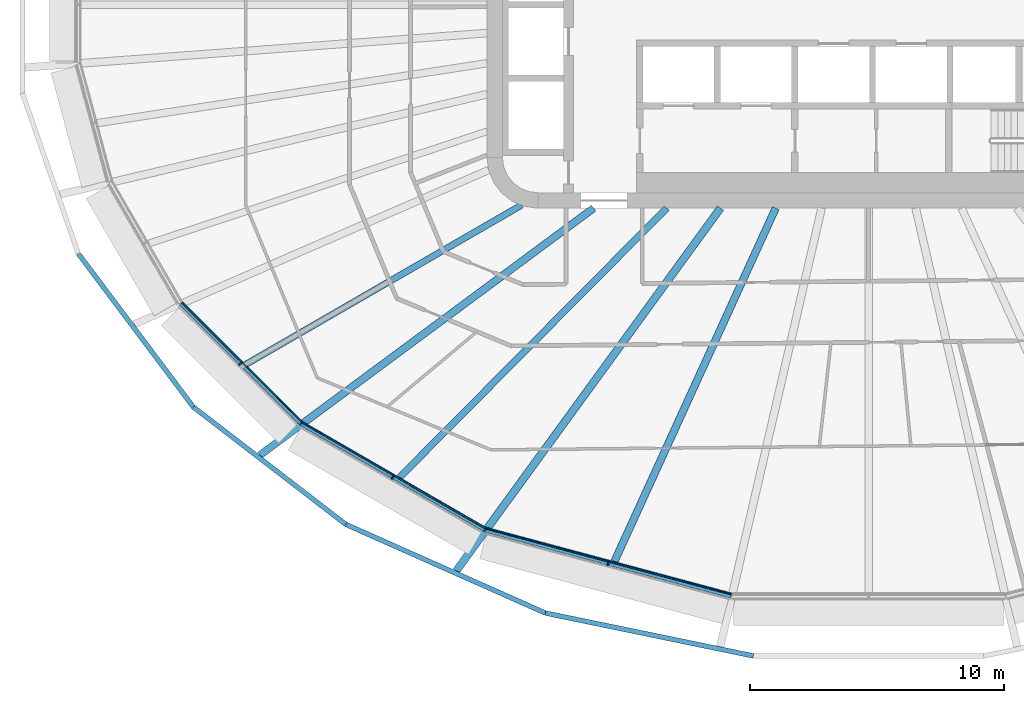
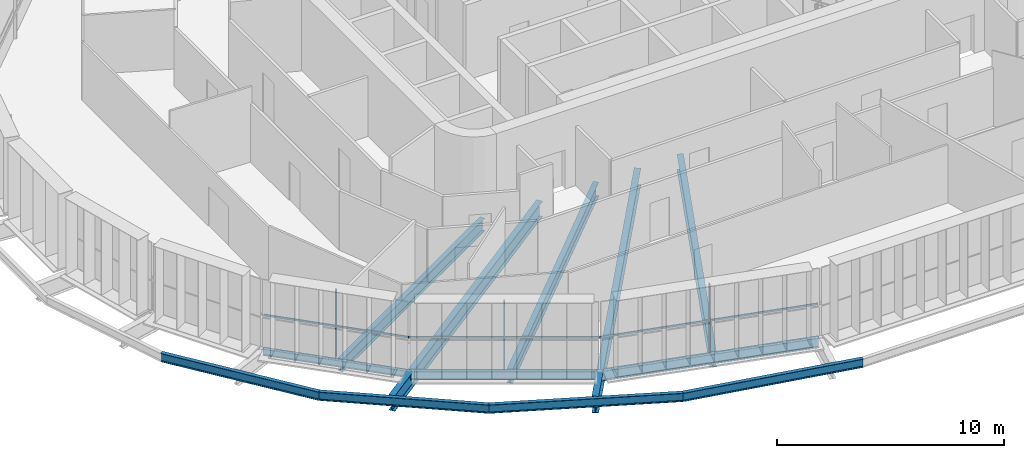
# One storey, part 1 of 24: 12 beams, 6 members, 3 elements without a shape of their own.
"""IFC4 building model written with IfcOpenShell, lengths in metres."""

from ifc_helpers import new_model, si_unit, direction, frame, origin, origin_2d, place, context, subcontext, project, spatial, rectangle, i_section, extrude, material, layer, layer_set, material_profile, profile_set, type_object, element, aggregate, save


model = new_model("IFC4")

# Units and contexts
model_context = context("Model", 3, precision=1e-05, world=origin(), true_north=direction((0.0, 1.0)))
body_context = subcontext(model_context, "Body", "Model", "MODEL_VIEW")
ifc_project = project(units=[si_unit("LENGTHUNIT", "METRE"), si_unit("AREAUNIT", "SQUARE_METRE"), si_unit("VOLUMEUNIT", "CUBIC_METRE"), si_unit("PLANEANGLEUNIT", "RADIAN"), si_unit("MASSUNIT", "GRAM", prefix="KILO")], contexts=[model_context])

# Site, building, storey
site_placement = place(None, origin())
site = spatial("IfcSite", under=ifc_project, at=site_placement, CompositionType="ELEMENT")
building_placement = place(site_placement, origin())
building = spatial("IfcBuilding", under=site, at=building_placement, Name="Sahrelin Media Tower", CompositionType="ELEMENT")
storey_placement = place(building_placement, frame((0.0, 0.0, 71.39990234375)))
storey = spatial("IfcBuildingStorey", under=building, at=storey_placement, Name="L12", CompositionType="ELEMENT", Elevation=71.39990234375)

# Beams
ifc_material_1 = material(Name="Steel S355", Category="steel")
ifc_material_profile_1 = material_profile(ifc_material_1, i_section(OverallWidth=0.17138671875, OverallDepth=0.35498046875, WebThickness=0.00732421875, FlangeThickness=0.011474609375, FilletRadius=0.01025390625, at=origin_2d()), Name="UB 356x171x51")
ifc_profile_set_1 = profile_set([ifc_material_profile_1], Name="Steel S355")
beam_type_1 = type_object("IfcBeamType", Name="Edge beam EB3", PredefinedType="BEAM", material=ifc_profile_set_1)
beam_1_placement = place(storey_placement, frame((-22.310546875, -16.443603515625, -0.327392578125), z_axis=(-0.707106781187, 0.707106781187, 0.0), x_axis=(-0.707106781187, -0.707106781187, 0.0)))
element("IfcBeam", 1, at=beam_1_placement, inside=storey, type_object=beam_type_1, Name="Edge beam L12-09", PredefinedType="BEAM", context=body_context, shape_type="SweptSolid", body=[
    extrude(i_section(OverallWidth=0.17138671875, OverallDepth=0.35498046875, WebThickness=0.00732421875, FlangeThickness=0.011474609375, FilletRadius=0.01025390625, at=origin_2d()), origin(), (0.0, 0.0, 1.0), 6.66015625),
])
ifc_material_profile_2 = material_profile(ifc_material_1, i_section(OverallWidth=0.1904296875, OverallDepth=0.45703125, WebThickness=0.009033203125, FlangeThickness=0.014404296875, FilletRadius=0.01025390625, at=origin_2d()), Name="UB 457x191x74")
ifc_profile_set_2 = profile_set([ifc_material_profile_2], Name="Steel S355")
beam_type_2 = type_object("IfcBeamType", Name="Edge beam EB5", PredefinedType="BEAM", material=ifc_profile_set_2)
beam_2_placement = place(storey_placement, frame((-15.078857421875, -20.623291015625, -0.37841796875), z_axis=(-0.866018055373, 0.500012727605, 0.0), x_axis=(-0.500012727605, -0.866018055373, 0.0)))
element("IfcBeam", 2, at=beam_2_placement, inside=storey, type_object=beam_type_2, Name="Edge beam L12-08", PredefinedType="BEAM", context=body_context, shape_type="SweptSolid", body=[
    extrude(i_section(OverallWidth=0.1904296875, OverallDepth=0.45703125, WebThickness=0.009033203125, FlangeThickness=0.014404296875, FilletRadius=0.01025390625, at=origin_2d()), origin(), (0.0, 0.0, 1.0), 8.323974609375),
])
ifc_material_profile_3 = material_profile(ifc_material_1, i_section(OverallWidth=0.208740234375, OverallDepth=0.5283203125, WebThickness=0.009521484375, FlangeThickness=0.01318359375, FilletRadius=0.0126953125, at=origin_2d()), Name="UB 533x210x82")
ifc_profile_set_3 = profile_set([ifc_material_profile_3], Name="Steel S355")
beam_type_3 = type_object("IfcBeamType", Name="Edge beam EB6", PredefinedType="BEAM", material=ifc_profile_set_3)
beam_3_placement = place(storey_placement, frame((-5.39794921875, -23.220947265625, -0.4140625), z_axis=(-0.965930606835, 0.258801203202, 0.0), x_axis=(-0.258801203202, -0.965930606835, 0.0)))
element("IfcBeam", 3, at=beam_3_placement, inside=storey, type_object=beam_type_3, Name="Edge beam L12-07", PredefinedType="BEAM", context=body_context, shape_type="SweptSolid", body=[
    extrude(i_section(OverallWidth=0.208740234375, OverallDepth=0.5283203125, WebThickness=0.009521484375, FlangeThickness=0.01318359375, FilletRadius=0.0126953125, at=origin_2d()), origin(), (0.0, 0.0, 1.0), 9.994873046875),
])

# Curtain wall, member
ifc_material_2 = material(Name="Champagne anodised aluminium 6063-T6", Category="aluminium")
ifc_layer = layer(ifc_material_2, 0.14990234375)
ifc_layer_set = layer_set([ifc_layer], Name="Tower ribbon curtain wall")
curtain_wall_type = type_object("IfcCurtainWallType", Name="Tower ribbon curtain wall", PredefinedType="NOTDEFINED", material=ifc_layer_set)
curtain_wall_1_placement = place(storey_placement, frame((-24.771484375, -14.195068359375, 0.0), z_axis=(0.0, 0.0, 1.0), x_axis=(1.0, 0.0, 0.0)))
curtain_wall_1 = element("IfcCurtainWall", 4, at=curtain_wall_1_placement, inside=storey, type_object=curtain_wall_type, Name="L12:CW:L12-15", PredefinedType="NOTDEFINED")
ifc_material_profile_4 = material_profile(ifc_material_2, rectangle(XDim=0.06005859375, YDim=0.14990234375, at=origin_2d()), Name="Mullion 60x150")
ifc_profile_set_4 = profile_set([ifc_material_profile_4], Name="Champagne anodised aluminium 6063-T6")
member_type_1 = type_object("IfcMemberType", Name="Mullion 60x150 CW1", PredefinedType="MULLION", material=ifc_profile_set_4)
member_1_placement = place(storey_placement, frame((-24.7041015625, -14.127685546875, 0.0), z_axis=(0.0, 0.0, 1.0), x_axis=(0.707106781187, -0.707106781187, 0.0)))
member_1 = element("IfcMember", 5, at=member_1_placement, type_object=member_type_1, Name="L12:CWM:L12-15", PredefinedType="MULLION", context=body_context, shape_type="SweptSolid", body=[
    extrude(rectangle(XDim=0.06005859375, YDim=0.14990234375, at=origin_2d()), origin(), (0.0, 0.0, 1.0), 3.648681640625),
])

curtain_wall_2_placement = place(storey_placement, frame((-18.75830078125, -18.672119140625, 0.0), z_axis=(0.0, 0.0, 1.0), x_axis=(1.0, 0.0, 0.0)))
curtain_wall_2 = element("IfcCurtainWall", 6, at=curtain_wall_2_placement, inside=storey, type_object=curtain_wall_type, Name="L12:CW:L12-16", PredefinedType="NOTDEFINED")
member_2_placement = place(storey_placement, frame((-18.710693359375, -18.58984375, 0.0), z_axis=(0.0, 0.0, 1.0), x_axis=(0.866027149108, -0.499996976998, 0.0)))
member_2 = element("IfcMember", 7, at=member_2_placement, type_object=member_type_1, Name="L12:CWM:L12-16", PredefinedType="MULLION", context=body_context, shape_type="SweptSolid", body=[
    extrude(rectangle(XDim=0.06005859375, YDim=0.14990234375, at=origin_2d()), origin(), (0.0, 0.0, 1.0), 3.648681640625),
])

curtain_wall_3_placement = place(storey_placement, frame((-10.263916015625, -22.072509765625, 0.0), z_axis=(0.0, 0.0, 1.0), x_axis=(1.0, 0.0, 0.0)))
curtain_wall_3 = element("IfcCurtainWall", 8, at=curtain_wall_3_placement, inside=storey, type_object=curtain_wall_type, Name="L12:CW:L12-17", PredefinedType="NOTDEFINED")
member_3_placement = place(storey_placement, frame((-10.239501953125, -21.980712890625, 0.0), z_axis=(0.0, 0.0, 1.0), x_axis=(0.965925826289, -0.258819045103, 0.0)))
member_3 = element("IfcMember", 9, at=member_3_placement, type_object=member_type_1, Name="L12:CWM:L12-17", PredefinedType="MULLION", context=body_context, shape_type="SweptSolid", body=[
    extrude(rectangle(XDim=0.06005859375, YDim=0.14990234375, at=origin_2d()), origin(), (0.0, 0.0, 1.0), 3.648681640625),
])

# Beams
ifc_material_profile_5 = material_profile(ifc_material_1, i_section(OverallWidth=0.291748046875, OverallDepth=0.8349609375, WebThickness=0.013916015625, FlangeThickness=0.018798828125, FilletRadius=0.017822265625, at=origin_2d()), Name="UB 838x292x176")
ifc_profile_set_5 = profile_set([ifc_material_profile_5], Name="Steel S355")
beam_type_4 = type_object("IfcBeamType", Name="Radial primary beam PB10", PredefinedType="BEAM", material=ifc_profile_set_5)
beam_4_placement = place(storey_placement, frame((-10.808349609375, -8.0, -0.5673828125), z_axis=(-0.803782665278, -0.594923042922, 0.0), x_axis=(0.594923042922, -0.803782665278, 0.0)))
element("IfcBeam", 10, at=beam_4_placement, inside=storey, type_object=beam_type_4, Name="Radial beam L12-16", PredefinedType="BEAM", context=body_context, shape_type="SweptSolid", body=[
    extrude(i_section(OverallWidth=0.291748046875, OverallDepth=0.8349609375, WebThickness=0.013916015625, FlangeThickness=0.018798828125, FilletRadius=0.017822265625, at=origin_2d()), origin(), (0.0, 0.0, 1.0), 16.3193359375),
])
ifc_material_profile_6 = material_profile(ifc_material_1, i_section(OverallWidth=0.30322265625, OverallDepth=0.903076171875, WebThickness=0.01513671875, FlangeThickness=0.020263671875, FilletRadius=0.01904296875, at=origin_2d()), Name="UB 914x305x201")
ifc_profile_set_6 = profile_set([ifc_material_profile_6], Name="Steel S355")
beam_type_5 = type_object("IfcBeamType", Name="Radial primary beam PB11", PredefinedType="BEAM", material=ifc_profile_set_6)
beam_5_placement = place(storey_placement, frame((-5.8251953125, -8.0, -0.601318359375), z_axis=(-0.588648282878, -0.808389262091, 0.0), x_axis=(0.808389262091, -0.588648282878, 0.0)))
element("IfcBeam", 11, at=beam_5_placement, inside=storey, type_object=beam_type_5, Name="Radial beam L12-17", PredefinedType="BEAM", context=body_context, shape_type="SweptSolid", body=[
    extrude(i_section(OverallWidth=0.30322265625, OverallDepth=0.903076171875, WebThickness=0.01513671875, FlangeThickness=0.020263671875, FilletRadius=0.01904296875, at=origin_2d()), origin(), (0.0, 0.0, 1.0), 17.632080078125),
])
ifc_material_profile_7 = material_profile(ifc_material_1, i_section(OverallWidth=0.291748046875, OverallDepth=0.8349609375, WebThickness=0.013916015625, FlangeThickness=0.018798828125, FilletRadius=0.017822265625, at=origin_2d()), Name="UB 838x292x176")
ifc_profile_set_7 = profile_set([ifc_material_profile_7], Name="Steel S355")
beam_type_6 = type_object("IfcBeamType", Name="Radial secondary beam SB10", PredefinedType="BEAM", material=ifc_profile_set_7)
beam_6_placement = place(storey_placement, frame((-3.65234375, -8.0, -0.5673828125), z_axis=(-0.415309042036, -0.909680383214, 0.0), x_axis=(0.909680383214, -0.415309042036, 0.0)))
element("IfcBeam", 12, at=beam_6_placement, inside=storey, type_object=beam_type_6, Name="Secondary beam L12-14", PredefinedType="BEAM", context=body_context, shape_type="SweptSolid", body=[
    extrude(i_section(OverallWidth=0.291748046875, OverallDepth=0.8349609375, WebThickness=0.013916015625, FlangeThickness=0.018798828125, FilletRadius=0.017822265625, at=origin_2d()), origin(), (0.0, 0.0, 1.0), 15.2607421875),
])
ifc_material_profile_8 = material_profile(ifc_material_1, i_section(OverallWidth=0.2529296875, OverallDepth=0.677978515625, WebThickness=0.01171875, FlangeThickness=0.01611328125, FilletRadius=0.01513671875, at=origin_2d()), Name="UB 686x254x125")
ifc_profile_set_8 = profile_set([ifc_material_profile_8], Name="Steel S355")
beam_type_7 = type_object("IfcBeamType", Name="Radial secondary beam SB8", PredefinedType="BEAM", material=ifc_profile_set_8)
beam_7_placement = place(storey_placement, frame((-13.64208984375, -7.88037109375, -0.48876953125), z_axis=(-0.865904098404, -0.500210048246, 0.0), x_axis=(0.500210048246, -0.865904098404, 0.0)))
element("IfcBeam", 13, at=beam_7_placement, inside=storey, type_object=beam_type_7, Name="Secondary beam L12-12", PredefinedType="BEAM", context=body_context, shape_type="SweptSolid", body=[
    extrude(i_section(OverallWidth=0.2529296875, OverallDepth=0.677978515625, WebThickness=0.01171875, FlangeThickness=0.01611328125, FilletRadius=0.01513671875, at=origin_2d()), origin(), (0.0, 0.0, 1.0), 12.52490234375),
])
ifc_material_profile_9 = material_profile(ifc_material_1, i_section(OverallWidth=0.26513671875, OverallDepth=0.75390625, WebThickness=0.0126953125, FlangeThickness=0.017578125, FilletRadius=0.0166015625, at=origin_2d()), Name="UB 762x267x147")
ifc_profile_set_9 = profile_set([ifc_material_profile_9], Name="Steel S355")
beam_type_8 = type_object("IfcBeamType", Name="Radial secondary beam SB9", PredefinedType="BEAM", material=ifc_profile_set_9)
beam_8_placement = place(storey_placement, frame((-7.93798828125, -8.0, -0.52685546875), z_axis=(-0.704340460364, -0.709862321788, 0.0), x_axis=(0.709862321788, -0.704340460364, 0.0)))
element("IfcBeam", 14, at=beam_8_placement, inside=storey, type_object=beam_type_8, Name="Secondary beam L12-13", PredefinedType="BEAM", context=body_context, shape_type="SweptSolid", body=[
    extrude(i_section(OverallWidth=0.26513671875, OverallDepth=0.75390625, WebThickness=0.0126953125, FlangeThickness=0.017578125, FilletRadius=0.0166015625, at=origin_2d()), origin(), (0.0, 0.0, 1.0), 14.89990234375),
])
ifc_material_profile_10 = material_profile(ifc_material_1, i_section(OverallWidth=0.1904296875, OverallDepth=0.45703125, WebThickness=0.009033203125, FlangeThickness=0.014404296875, FilletRadius=0.01025390625, at=origin_2d()), Name="UB 457x191x74")
ifc_profile_set_10 = profile_set([ifc_material_profile_10], Name="Steel S355")
beam_type_9 = type_object("IfcBeamType", Name="Tie chord TC5", PredefinedType="BEAM", material=ifc_profile_set_10)
beam_9_placement = place(storey_placement, frame((-31.06689453125, -9.7802734375, -0.37841796875), z_axis=(0.60006210035, -0.799953420971, 0.0), x_axis=(0.799953420971, 0.60006210035, 0.0)))
element("IfcBeam", 15, at=beam_9_placement, inside=storey, type_object=beam_type_9, Name="Tie chord L12-14", PredefinedType="BEAM", context=body_context, shape_type="SweptSolid", body=[
    extrude(i_section(OverallWidth=0.1904296875, OverallDepth=0.45703125, WebThickness=0.009033203125, FlangeThickness=0.014404296875, FilletRadius=0.01025390625, at=origin_2d()), origin(), (0.0, 0.0, 1.0), 7.548095703125),
])
beam_10_placement = place(storey_placement, frame((-26.53759765625, -15.818359375, -0.37841796875), z_axis=(0.79243291887, -0.609959071652, 0.0), x_axis=(0.609959071652, 0.79243291887, 0.0)))
element("IfcBeam", 16, at=beam_10_placement, inside=storey, type_object=beam_type_9, Name="Tie chord L12-15", PredefinedType="BEAM", context=body_context, shape_type="SweptSolid", body=[
    extrude(i_section(OverallWidth=0.1904296875, OverallDepth=0.45703125, WebThickness=0.009033203125, FlangeThickness=0.014404296875, FilletRadius=0.01025390625, at=origin_2d()), origin(), (0.0, 0.0, 1.0), 7.553955078125),
])
beam_11_placement = place(storey_placement, frame((-20.551513671875, -20.426025390625, -0.37841796875), z_axis=(0.913836174684, -0.406083052884, 0.0), x_axis=(0.406083052884, 0.913836174684, 0.0)))
element("IfcBeam", 17, at=beam_11_placement, inside=storey, type_object=beam_type_9, Name="Tie chord L12-16", PredefinedType="BEAM", context=body_context, shape_type="SweptSolid", body=[
    extrude(i_section(OverallWidth=0.1904296875, OverallDepth=0.45703125, WebThickness=0.009033203125, FlangeThickness=0.014404296875, FilletRadius=0.01025390625, at=origin_2d()), origin(), (0.0, 0.0, 1.0), 8.584716796875),
])
beam_12_placement = place(storey_placement, frame((-12.70654296875, -23.912109375, -0.37841796875), z_axis=(0.979386660518, -0.201994478141, 0.0), x_axis=(0.201994478141, 0.979386660518, 0.0)))
element("IfcBeam", 18, at=beam_12_placement, inside=storey, type_object=beam_type_9, Name="Tie chord L12-17", PredefinedType="BEAM", context=body_context, shape_type="SweptSolid", body=[
    extrude(i_section(OverallWidth=0.1904296875, OverallDepth=0.45703125, WebThickness=0.009033203125, FlangeThickness=0.014404296875, FilletRadius=0.01025390625, at=origin_2d()), origin(), (0.0, 0.0, 1.0), 8.349365234375),
])

# Member
ifc_material_profile_11 = material_profile(ifc_material_2, rectangle(XDim=0.050048828125, YDim=0.10009765625, at=origin_2d()), Name="Transom 50x100")
ifc_profile_set_11 = profile_set([ifc_material_profile_11], Name="Champagne anodised aluminium 6063-T6")
member_type_2 = type_object("IfcMemberType", Name="Transom 50x100 CW1", PredefinedType="USERDEFINED", material=ifc_profile_set_11)
member_4_placement = place(storey_placement, frame((-26.977294921875, -11.71337890625, 1.60009765625), z_axis=(0.707106781187, -0.707106781187, 0.0), x_axis=(0.707106781187, 0.707106781187, 0.0)))
member_4 = element("IfcMember", 19, at=member_4_placement, type_object=member_type_2, Name="L12:CWT:L12-15", ObjectType="TRANSOM", PredefinedType="USERDEFINED", context=body_context, shape_type="SweptSolid", body=[
    extrude(rectangle(XDim=0.050048828125, YDim=0.10009765625, at=origin_2d()), origin(), (0.0, 0.0, 1.0), 6.629150390625),
])

aggregate(curtain_wall_1, [member_1, member_4])

member_5_placement = place(storey_placement, frame((-22.25146484375, -16.43017578125, 1.60009765625), z_axis=(0.866022320763, -0.500005339912, 0.0), x_axis=(0.500005339912, 0.866022320763, 0.0)))
member_5 = element("IfcMember", 20, at=member_5_placement, type_object=member_type_2, Name="L12:CWT:L12-16", ObjectType="TRANSOM", PredefinedType="USERDEFINED", context=body_context, shape_type="SweptSolid", body=[
    extrude(rectangle(XDim=0.050048828125, YDim=0.10009765625, at=origin_2d()), origin(), (0.0, 0.0, 1.0), 8.29248046875),
])

aggregate(curtain_wall_2, [member_2, member_5])

member_6_placement = place(storey_placement, frame((-15.025390625, -20.5947265625, 1.60009765625), z_axis=(0.9659214719, -0.258835295357, 0.0), x_axis=(0.258835295357, 0.9659214719, 0.0)))
member_6 = element("IfcMember", 21, at=member_6_placement, type_object=member_type_2, Name="L12:CWT:L12-17", ObjectType="TRANSOM", PredefinedType="USERDEFINED", context=body_context, shape_type="SweptSolid", body=[
    extrude(rectangle(XDim=0.050048828125, YDim=0.10009765625, at=origin_2d()), origin(), (0.0, 0.0, 1.0), 9.96337890625),
])

aggregate(curtain_wall_3, [member_3, member_6])

save(model, "model.ifc")
